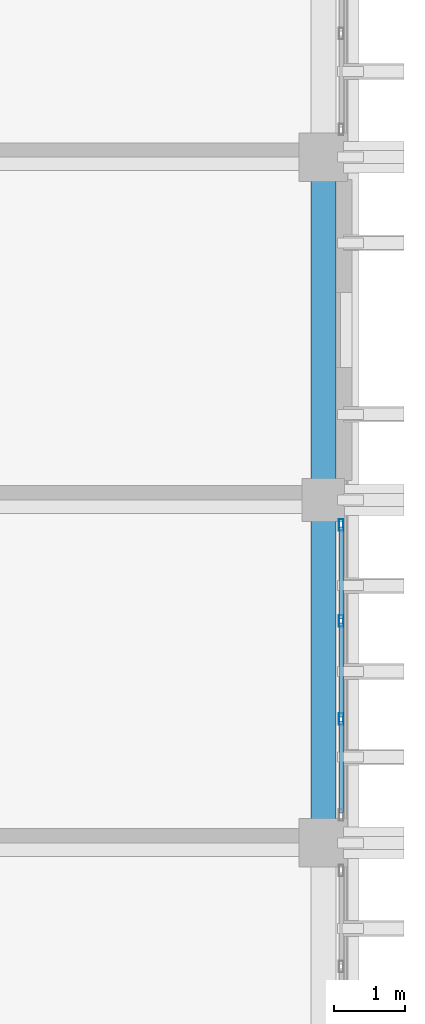
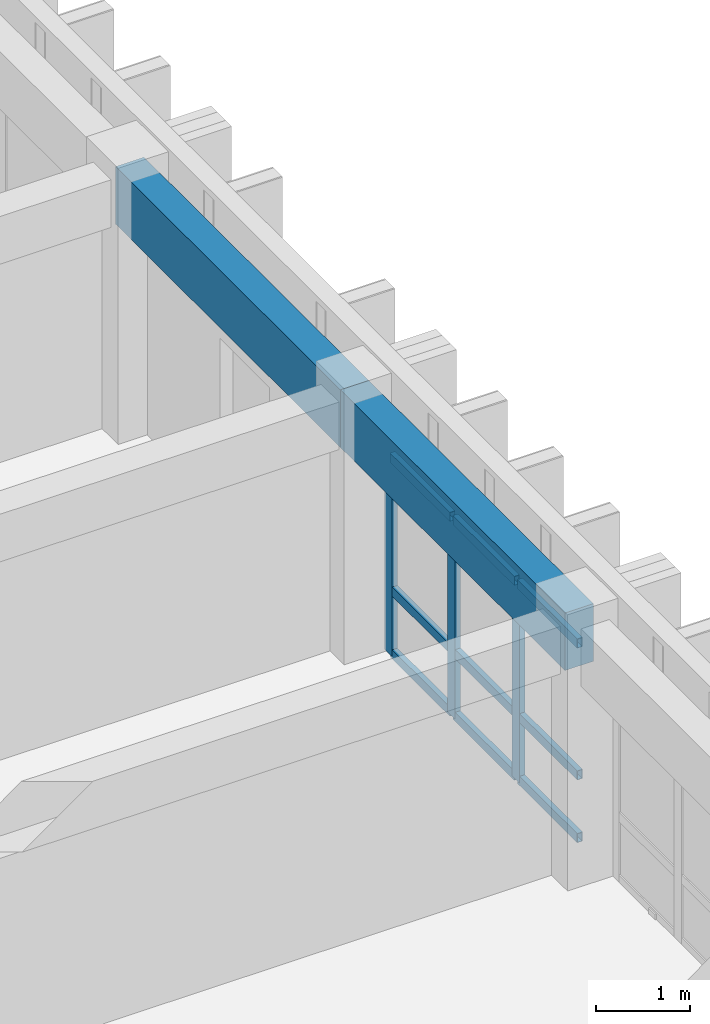
# One storey, part 8 of 53: 12 members, 2 beams, 1 element without a shape of its own.
"""IFC4 building model written with IfcOpenShell, lengths in metres."""

from ifc_helpers import new_model, si_unit, direction, frame, origin, origin_2d, place, context, subcontext, project, spatial, rectangle, hollow_rectangle, extrude, material, layer, layer_set, material_profile, profile_set, type_object, element, aggregate, save


model = new_model("IFC4")

# Units and contexts
model_context = context("Model", 3, precision=1e-05, world=origin(), true_north=direction((0.0, 1.0)))
body_context = subcontext(model_context, "Body", "Model", "MODEL_VIEW")
ifc_project = project(units=[si_unit("LENGTHUNIT", "METRE"), si_unit("AREAUNIT", "SQUARE_METRE"), si_unit("VOLUMEUNIT", "CUBIC_METRE"), si_unit("PLANEANGLEUNIT", "RADIAN"), si_unit("MASSUNIT", "GRAM", prefix="KILO")], contexts=[model_context])

# Site, building, storey
site_placement = place(None, origin())
site = spatial("IfcSite", under=ifc_project, at=site_placement, CompositionType="ELEMENT")
building_placement = place(site_placement, origin())
building = spatial("IfcBuilding", under=site, at=building_placement, Name="Nakhvara Creek Congress Hotel", CompositionType="ELEMENT")
storey_placement = place(building_placement, frame((0.0, 0.0, 35.39990234375)))
storey = spatial("IfcBuildingStorey", under=building, at=storey_placement, Name="L08", CompositionType="ELEMENT", Elevation=35.39990234375)

# Beams
ifc_material_1 = material(Name="Concrete C40/50", Category="concrete")
ifc_material_profile_1 = material_profile(ifc_material_1, rectangle(XDim=0.35009765625, YDim=0.75, at=origin_2d()), Name="RC-SPANDREL 350x750", Category="LoadBearing")
ifc_profile_set_1 = profile_set([ifc_material_profile_1], Name="Concrete C40/50")
beam_type = type_object("IfcBeamType", Name="BM-SPN-350X750", PredefinedType="SPANDREL", material=ifc_profile_set_1)
beam_1_placement = place(storey_placement, frame((179.35009765625, 57.60009765625, 2.985107421875), z_axis=(0.0, 1.0, 0.0), x_axis=(-1.0, 0.0, 0.0)))
element("IfcBeam", 1, at=beam_1_placement, inside=storey, type_object=beam_type, Name="Beam SP1-L08-2497", PredefinedType="SPANDREL", context=body_context, shape_type="SweptSolid", body=[
    extrude(rectangle(XDim=0.35009765625, YDim=0.75, at=origin_2d()), origin(), (0.0, 0.0, 1.0), 4.7998046875),
])
beam_2_placement = place(storey_placement, frame((179.35009765625, 62.39990234375, 2.985107421875), z_axis=(0.0, 1.0, 0.0), x_axis=(-1.0, 0.0, 0.0)))
element("IfcBeam", 2, at=beam_2_placement, inside=storey, type_object=beam_type, Name="Beam SP1-L08-2498", PredefinedType="SPANDREL", context=body_context, shape_type="SweptSolid", body=[
    extrude(rectangle(XDim=0.35009765625, YDim=0.75, at=origin_2d()), origin(), (0.0, 0.0, 1.0), 4.800048828125),
])

# Curtain wall, members
ifc_material_2 = material(Name="Bronze-anodised aluminium AW-6063-T6 and double-silver low-E glass", Category="aluminium")
ifc_layer = layer(ifc_material_2, 0.199951171875)
ifc_layer_set = layer_set([ifc_layer], Name="Bronze-anodised aluminium AW-6063-T6 and double-silver low-E glass")
curtain_wall_type = type_object("IfcCurtainWallType", Name="CW-HTL-UNIT", PredefinedType="USERDEFINED", material=ifc_layer_set)
curtain_wall_placement = place(storey_placement, origin())
curtain_wall = element("IfcCurtainWall", 3, at=curtain_wall_placement, inside=storey, type_object=curtain_wall_type, Name="Curtain Wall CW277", ObjectType="UNITISED", PredefinedType="USERDEFINED")
ifc_material_3 = material(Name="Bronze-anodised aluminium AW-6063-T6", Category="aluminium")
ifc_material_profile_2 = material_profile(ifc_material_3, hollow_rectangle(XDim=0.06494140625, YDim=0.159912109375, WallThickness=0.00390625, at=origin_2d()), Name="ALU-MULL 65x160x4", Category="LoadBearing")
ifc_profile_set_2 = profile_set([ifc_material_profile_2], Name="Bronze-anodised aluminium AW-6063-T6")
member_type_1 = type_object("IfcMemberType", Name="CW-MULL-160", PredefinedType="MULLION", material=ifc_profile_set_2)
member_1_placement = place(storey_placement, frame((179.60009765625, 62.052490234375, 0.0), z_axis=(0.0, 0.0, 1.0), x_axis=(1.0, 0.0, 0.0)))
member_1 = element("IfcMember", 4, at=member_1_placement, type_object=member_type_1, Name="CW277 mullion 1", PredefinedType="MULLION", context=body_context, shape_type="SweptSolid", body=[
    extrude(hollow_rectangle(XDim=0.06494140625, YDim=0.159912109375, WallThickness=0.00390625, at=origin_2d()), origin(), (0.0, 0.0, 1.0), 2.60205078125),
])
member_2_placement = place(storey_placement, frame((179.60009765625, 60.708251953125, 0.0), z_axis=(0.0, 0.0, 1.0), x_axis=(1.0, 0.0, 0.0)))
member_2 = element("IfcMember", 5, at=member_2_placement, type_object=member_type_1, Name="CW277 mullion 2", PredefinedType="MULLION", context=body_context, shape_type="SweptSolid", body=[
    extrude(hollow_rectangle(XDim=0.06494140625, YDim=0.159912109375, WallThickness=0.00390625, at=origin_2d()), origin(), (0.0, 0.0, 1.0), 2.60205078125),
])
member_3_placement = place(storey_placement, frame((179.60009765625, 59.331787109375, 0.0), z_axis=(0.0, 0.0, 1.0), x_axis=(1.0, 0.0, 0.0)))
member_3 = element("IfcMember", 6, at=member_3_placement, type_object=member_type_1, Name="CW277 mullion 3", PredefinedType="MULLION", context=body_context, shape_type="SweptSolid", body=[
    extrude(hollow_rectangle(XDim=0.06494140625, YDim=0.159912109375, WallThickness=0.00390625, at=origin_2d()), origin(), (0.0, 0.0, 1.0), 2.60205078125),
])
ifc_material_profile_3 = material_profile(ifc_material_3, hollow_rectangle(XDim=0.06494140625, YDim=0.1201171875, WallThickness=0.00390625, at=origin_2d()), Name="ALU-TRAN 65x120x4", Category="LoadBearing")
ifc_profile_set_3 = profile_set([ifc_material_profile_3], Name="Bronze-anodised aluminium AW-6063-T6")
member_type_2 = type_object("IfcMemberType", Name="CW-TRAN-120", PredefinedType="USERDEFINED", material=ifc_profile_set_3)
member_4_placement = place(storey_placement, frame((179.60009765625, 62.02001953125, 0.03271484375), z_axis=(0.0, -1.0, 0.0), x_axis=(1.0, 0.0, 0.0)))
member_4 = element("IfcMember", 7, at=member_4_placement, type_object=member_type_2, Name="CW277 transom 1.1", ObjectType="TRANSOM", PredefinedType="USERDEFINED", context=body_context, shape_type="SweptSolid", body=[
    extrude(hollow_rectangle(XDim=0.06494140625, YDim=0.1201171875, WallThickness=0.00390625, at=origin_2d()), origin(), (0.0, 0.0, 1.0), 1.279296875),
])
member_5_placement = place(storey_placement, frame((179.60009765625, 62.02001953125, 0.85009765625), z_axis=(0.0, -1.0, 0.0), x_axis=(1.0, 0.0, 0.0)))
member_5 = element("IfcMember", 8, at=member_5_placement, type_object=member_type_2, Name="CW277 transom 1.2", ObjectType="TRANSOM", PredefinedType="USERDEFINED", context=body_context, shape_type="SweptSolid", body=[
    extrude(hollow_rectangle(XDim=0.06494140625, YDim=0.1201171875, WallThickness=0.00390625, at=origin_2d()), origin(), (0.0, 0.0, 1.0), 1.279296875),
])
member_6_placement = place(storey_placement, frame((179.60009765625, 62.02001953125, 2.569580078125), z_axis=(0.0, -1.0, 0.0), x_axis=(1.0, 0.0, 0.0)))
member_6 = element("IfcMember", 9, at=member_6_placement, type_object=member_type_2, Name="CW277 transom 1.3", ObjectType="TRANSOM", PredefinedType="USERDEFINED", context=body_context, shape_type="SweptSolid", body=[
    extrude(hollow_rectangle(XDim=0.06494140625, YDim=0.1201171875, WallThickness=0.00390625, at=origin_2d()), origin(), (0.0, 0.0, 1.0), 1.279296875),
])
member_7_placement = place(storey_placement, frame((179.60009765625, 60.67578125, 0.03271484375), z_axis=(0.0, -1.0, 0.0), x_axis=(1.0, 0.0, 0.0)))
member_7 = element("IfcMember", 10, at=member_7_placement, type_object=member_type_2, Name="CW277 transom 2.1", ObjectType="TRANSOM", PredefinedType="USERDEFINED", context=body_context, shape_type="SweptSolid", body=[
    extrude(hollow_rectangle(XDim=0.06494140625, YDim=0.1201171875, WallThickness=0.00390625, at=origin_2d()), origin(), (0.0, 0.0, 1.0), 1.3115234375),
])
member_8_placement = place(storey_placement, frame((179.60009765625, 60.67578125, 0.85009765625), z_axis=(0.0, -1.0, 0.0), x_axis=(1.0, 0.0, 0.0)))
member_8 = element("IfcMember", 11, at=member_8_placement, type_object=member_type_2, Name="CW277 transom 2.2", ObjectType="TRANSOM", PredefinedType="USERDEFINED", context=body_context, shape_type="SweptSolid", body=[
    extrude(hollow_rectangle(XDim=0.06494140625, YDim=0.1201171875, WallThickness=0.00390625, at=origin_2d()), origin(), (0.0, 0.0, 1.0), 1.3115234375),
])
member_9_placement = place(storey_placement, frame((179.60009765625, 60.67578125, 2.569580078125), z_axis=(0.0, -1.0, 0.0), x_axis=(1.0, 0.0, 0.0)))
member_9 = element("IfcMember", 12, at=member_9_placement, type_object=member_type_2, Name="CW277 transom 2.3", ObjectType="TRANSOM", PredefinedType="USERDEFINED", context=body_context, shape_type="SweptSolid", body=[
    extrude(hollow_rectangle(XDim=0.06494140625, YDim=0.1201171875, WallThickness=0.00390625, at=origin_2d()), origin(), (0.0, 0.0, 1.0), 1.3115234375),
])
member_10_placement = place(storey_placement, frame((179.60009765625, 59.299072265625, 0.03271484375), z_axis=(0.0, -1.0, 0.0), x_axis=(1.0, 0.0, 0.0)))
member_10 = element("IfcMember", 13, at=member_10_placement, type_object=member_type_2, Name="CW277 transom 3.1", ObjectType="TRANSOM", PredefinedType="USERDEFINED", context=body_context, shape_type="SweptSolid", body=[
    extrude(hollow_rectangle(XDim=0.06494140625, YDim=0.1201171875, WallThickness=0.00390625, at=origin_2d()), origin(), (0.0, 0.0, 1.0), 1.279052734375),
])
member_11_placement = place(storey_placement, frame((179.60009765625, 59.299072265625, 0.85009765625), z_axis=(0.0, -1.0, 0.0), x_axis=(1.0, 0.0, 0.0)))
member_11 = element("IfcMember", 14, at=member_11_placement, type_object=member_type_2, Name="CW277 transom 3.2", ObjectType="TRANSOM", PredefinedType="USERDEFINED", context=body_context, shape_type="SweptSolid", body=[
    extrude(hollow_rectangle(XDim=0.06494140625, YDim=0.1201171875, WallThickness=0.00390625, at=origin_2d()), origin(), (0.0, 0.0, 1.0), 1.279052734375),
])
member_12_placement = place(storey_placement, frame((179.60009765625, 59.299072265625, 2.569580078125), z_axis=(0.0, -1.0, 0.0), x_axis=(1.0, 0.0, 0.0)))
member_12 = element("IfcMember", 15, at=member_12_placement, type_object=member_type_2, Name="CW277 transom 3.3", ObjectType="TRANSOM", PredefinedType="USERDEFINED", context=body_context, shape_type="SweptSolid", body=[
    extrude(hollow_rectangle(XDim=0.06494140625, YDim=0.1201171875, WallThickness=0.00390625, at=origin_2d()), origin(), (0.0, 0.0, 1.0), 1.279052734375),
])
aggregate(curtain_wall, [member_1, member_2, member_3, member_4, member_5, member_6, member_7, member_8, member_9, member_10, member_11, member_12])

save(model, "model.ifc")
